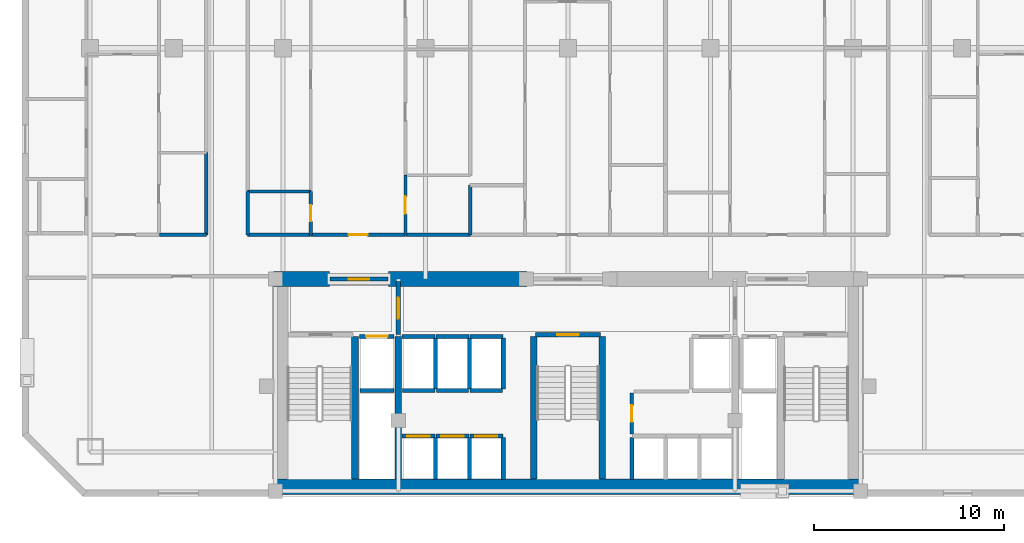
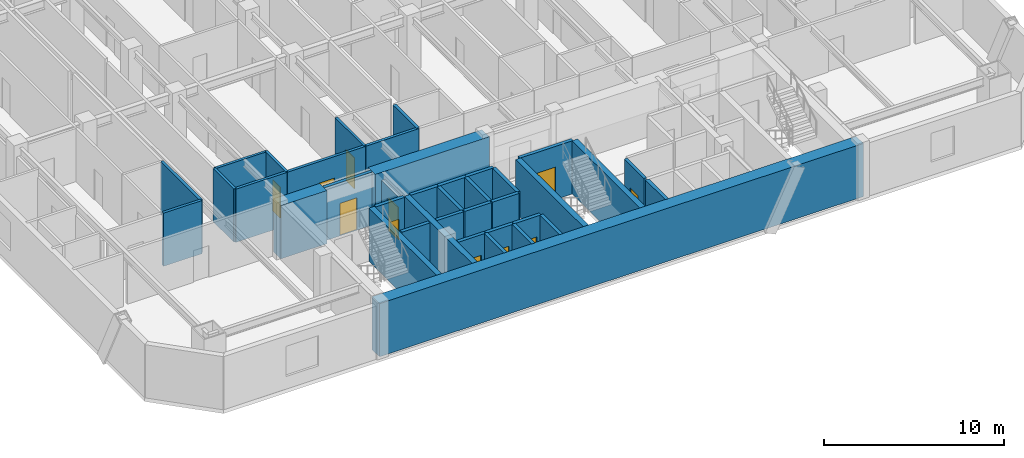
# One storey, part 3 of 10: 39 walls, 11 doors, 11 openings.
"""IFC4 building model written with IfcOpenShell, lengths in metres."""

from ifc_helpers import new_model, si_unit, direction, frame, frame_2d, origin, place, context, subcontext, project, spatial, rectangle, extrude, material, layer, layer_set, type_object, element, fill, save


model = new_model("IFC4")

# Units and contexts
model_context = context("Model", 3, precision=1e-05, world=origin(), true_north=direction((0.0, 1.0)))
body_context = subcontext(model_context, "Body", "Model", "MODEL_VIEW")
ifc_project = project(units=[si_unit("LENGTHUNIT", "METRE"), si_unit("AREAUNIT", "SQUARE_METRE"), si_unit("VOLUMEUNIT", "CUBIC_METRE"), si_unit("PLANEANGLEUNIT", "RADIAN"), si_unit("MASSUNIT", "GRAM", prefix="KILO")], contexts=[model_context])

# Site, building, storey
site_placement = place(None, origin())
site = spatial("IfcSite", under=ifc_project, at=site_placement, CompositionType="ELEMENT")
building_placement = place(site_placement, origin())
building = spatial("IfcBuilding", under=site, at=building_placement, Name="Ventersveld Concourse Tower", CompositionType="ELEMENT")
storey_placement = place(building_placement, frame((0.0, 0.0, 49.050048828125)))
storey = spatial("IfcBuildingStorey", under=building, at=storey_placement, Name="L11", CompositionType="ELEMENT", Elevation=49.050048828125)

# Walls
ifc_material_1 = material(Name="Concrete C60/75", Category="concrete")
ifc_layer_1 = layer(ifc_material_1, 0.35009765625)
ifc_layer_set_1 = layer_set([ifc_layer_1], Name="Concrete C60/75")
wall_type_1 = type_object("IfcWallType", Name="WL-CORE-350L", PredefinedType="SHEAR", material=ifc_layer_set_1)
for number, where, z_axis, x_axis, name in (
    (1, (17.5400390625, 0.919921875, 0.0), (0.0, 0.0, 1.0), (0.0, 1.0, 0.0), "L11 Core Internal Shear Web W-ST1-E"),
    (2, (19.820068359375, 0.919921875, 0.0), (0.0, 0.0, 1.0), (0.0, 1.0, 0.0), "L11 Core Internal Shear Web W-FF1-E"),
    (3, (26.93994140625, 0.919921875, 0.0), (0.0, 0.0, 1.0), (0.0, 1.0, 0.0), "L11 Core Internal Shear Web W-ST3-W"),
    (4, (30.56005859375, 0.919921875, 0.0), (0.0, 0.0, 1.0), (0.0, 1.0, 0.0), "L11 Core Internal Shear Web W-ST3-E"),
):
    element("IfcWall", number, at=place(storey_placement, frame(where, z_axis=z_axis, x_axis=x_axis)), inside=storey, type_object=wall_type_1, Name=name, PredefinedType="SHEAR", context=body_context, shape_type="SweptSolid", body=[
        extrude(rectangle(XDim=7.5, YDim=0.35009765625, at=frame_2d((3.75, 0.0))), origin(), (0.0, 0.0, 1.0), 3.599853515625),
    ])
ifc_layer_2 = layer(ifc_material_1, 0.800048828125)
ifc_layer_set_2 = layer_set([ifc_layer_2], Name="Concrete C60/75")
wall_type_2 = type_object("IfcWallType", Name="WL-CORE-800", PredefinedType="SHEAR", material=ifc_layer_set_2)
wall_1_placement = place(storey_placement, frame((13.25, 0.52001953125, 0.0), z_axis=(0.0, 0.0, 1.0), x_axis=(1.0, 0.0, 0.0)))
element("IfcWall", 5, at=wall_1_placement, inside=storey, type_object=wall_type_2, Name="L11 Rear Core South Shear Wall", PredefinedType="SHEAR", context=body_context, shape_type="SweptSolid", body=[
    extrude(rectangle(XDim=31.0, YDim=0.800048828125, at=frame_2d((15.5, 0.0))), origin(), (0.0, 0.0, 1.0), 3.599853515625),
])
wall_2_placement = place(storey_placement, frame((13.25, 11.449951171875, 0.0), z_axis=(0.0, 0.0, 1.0), x_axis=(1.0, 0.0, 0.0)))
element("IfcWall", 6, at=wall_2_placement, inside=storey, type_object=wall_type_2, Name="L11 Rear Core North Shear Wall NW", PredefinedType="SHEAR", context=body_context, shape_type="SweptSolid", body=[
    extrude(rectangle(XDim=2.949951171875, YDim=0.800048828125, at=frame_2d((1.47509765625, 0.0))), origin(), (0.0, 0.0, 1.0), 3.599853515625),
])
wall_3_placement = place(storey_placement, frame((19.300048828125, 11.449951171875, 0.0), z_axis=(0.0, 0.0, 1.0), x_axis=(1.0, 0.0, 0.0)))
element("IfcWall", 7, at=wall_3_placement, inside=storey, type_object=wall_type_2, Name="L11 Rear Core North Shear Wall NML", PredefinedType="SHEAR", context=body_context, shape_type="SweptSolid", body=[
    extrude(rectangle(XDim=7.300048828125, YDim=0.800048828125, at=frame_2d((3.64990234375, 0.0))), origin(), (0.0, 0.0, 1.0), 3.599853515625),
])

# Wall, opening, door
ifc_material_2 = material(Name="Fire-rated autoclaved aerated masonry blockwork", Category="masonry")
ifc_layer_3 = layer(ifc_material_2, 0.179931640625)
ifc_layer_set_3 = layer_set([ifc_layer_3], Name="Fire-rated autoclaved aerated masonry blockwork")
wall_type_3 = type_object("IfcWallType", Name="WL-CORR-180", PredefinedType="PARTITIONING", material=ifc_layer_set_3)
wall_4_placement = place(storey_placement, frame((32.10009765625, 3.280029296875, 0.0), z_axis=(0.0, 0.0, 1.0), x_axis=(0.0, 1.0, 0.0)))
wall_4 = element("IfcWall", 8, at=wall_4_placement, inside=storey, type_object=wall_type_3, Name="L11 Core Passage Wall SP-L11-CBAY2", PredefinedType="PARTITIONING", context=body_context, shape_type="SweptSolid", body=[
    extrude(rectangle(XDim=2.169921875, YDim=0.179931640625, at=frame_2d((1.0849609375, 0.0))), origin(), (0.0, 0.0, 1.0), 3.599853515625),
])
opening_1_placement = place(wall_4_placement, frame((0.64501953125, 0.0, 0.0)))
opening_1 = element("IfcOpeningElement", 9, at=opening_1_placement, cuts=wall_4, Name="Opening FD5", PredefinedType="OPENING", context=body_context, shape_type="SweptSolid", body=[
    extrude(rectangle(XDim=0.8798828125, YDim=2.050048828125, at=frame_2d((0.43994140625, 1.02490234375))), frame((0.0, 0.10009765625, 0.0), z_axis=(0.0, -1.0, 0.0), x_axis=(1.0, 0.0, 0.0)), (0.0, 0.0, 1.0), 0.199951171875),
])
ifc_material_3 = material(Name="Galvanised painted steel", Category="steel")
door_type_1 = type_object("IfcDoorType", Name="DR-RISER-088", OperationType="NOTDEFINED", PredefinedType="DOOR", material=ifc_material_3)
door_1_placement = place(opening_1_placement, origin())
door_1 = element("IfcDoor", 10, at=door_1_placement, inside=storey, type_object=door_type_1, Name="L11 Core Room Door L11 Core Parcel and Mail Store (CD-L11-0419)", OperationType="SINGLE_SWING_RIGHT", OverallHeight=2.050048828125, OverallWidth=0.8798828125, PredefinedType="DOOR", context=body_context, shape_type="SweptSolid", body=[
    extrude(rectangle(XDim=0.8798828125, YDim=2.050048828125, at=frame_2d((0.43994140625, 1.02490234375))), frame((0.0, 0.02490234375, 0.0), z_axis=(0.0, -1.0, 0.0), x_axis=(1.0, 0.0, 0.0)), (0.0, 0.0, 1.0), 0.050048828125),
])
fill(opening_1, door_1)

# Walls
wall_5_placement = place(storey_placement, frame((9.7099609375, 13.764892578125, 0.0), z_axis=(0.0, 0.0, 1.0), x_axis=(0.0, 1.0, 0.0)))
element("IfcWall", 11, at=wall_5_placement, inside=storey, type_object=wall_type_3, Name="L11 Interior Partition SP-L11-COR-SP-L11-11NW-KIT", PredefinedType="PARTITIONING", context=body_context, shape_type="SweptSolid", body=[
    extrude(rectangle(XDim=4.3408203125, YDim=0.179931640625, at=frame_2d((2.17041015625, 0.0))), origin(), (0.0, 0.0, 1.0), 3.599853515625),
])
wall_6_placement = place(storey_placement, frame((7.252197265625, 13.77001953125, 0.0), z_axis=(0.0, 0.0, 1.0), x_axis=(1.0, 0.0, 0.0)))
element("IfcWall", 12, at=wall_6_placement, inside=storey, type_object=wall_type_3, Name="L11 Interior Partition SP-L11-COR-SP-L11-11NW-KIT", PredefinedType="PARTITIONING", context=body_context, shape_type="SweptSolid", body=[
    extrude(rectangle(XDim=2.462890625, YDim=0.179931640625, at=frame_2d((1.2314453125, 0.0))), origin(), (0.0, 0.0, 1.0), 3.599853515625),
])

# Wall, opening, door
wall_7_placement = place(storey_placement, frame((15.20703125, 13.77001953125, 0.0), z_axis=(0.0, 0.0, 1.0), x_axis=(1.0, 0.0, 0.0)))
wall_7 = element("IfcWall", 13, at=wall_7_placement, inside=storey, type_object=wall_type_3, Name="L11 Interior Partition SP-L11-COR-SP-L11-11CW-FOY", PredefinedType="PARTITIONING", context=body_context, shape_type="SweptSolid", body=[
    extrude(rectangle(XDim=4.989990234375, YDim=0.179931640625, at=frame_2d((2.4951171875, 0.0))), origin(), (0.0, 0.0, 1.0), 3.599853515625),
])
opening_2_placement = place(wall_7_placement, frame((1.9951171875, 0.0, 0.0)))
opening_2 = element("IfcOpeningElement", 14, at=opening_2_placement, cuts=wall_7, Name="Opening FD3", PredefinedType="OPENING", context=body_context, shape_type="SweptSolid", body=[
    extrude(rectangle(XDim=1.0, YDim=2.14990234375, at=frame_2d((0.5, 1.074951171875))), frame((0.0, 0.10009765625, 0.0), z_axis=(0.0, -1.0, 0.0), x_axis=(1.0, 0.0, 0.0)), (0.0, 0.0, 1.0), 0.199951171875),
])
ifc_material_4 = material(Name="Solid-core hardwood veneer timber", Category="wood")
door_type_2 = type_object("IfcDoorType", Name="DR-FLAT-100", OperationType="NOTDEFINED", PredefinedType="DOOR", material=ifc_material_4)
door_2_placement = place(opening_2_placement, origin())
door_2 = element("IfcDoor", 15, at=door_2_placement, inside=storey, type_object=door_type_2, Name="L11 Interior Door SP-L11-COR to SP-L11-11CW-FOY (FD-L11-0424)", OperationType="SINGLE_SWING_RIGHT", OverallHeight=2.14990234375, OverallWidth=1.0, PredefinedType="DOOR", context=body_context, shape_type="SweptSolid", body=[
    extrude(rectangle(XDim=1.0, YDim=2.14990234375, at=frame_2d((0.5, 1.074951171875))), frame((0.0, 0.02490234375, 0.0), z_axis=(0.0, -1.0, 0.0), x_axis=(1.0, 0.0, 0.0)), (0.0, 0.0, 1.0), 0.050048828125),
])
fill(opening_2, door_2)

# Walls
wall_8_placement = place(storey_placement, frame((11.885009765625, 13.77001953125, 0.0), z_axis=(0.0, 0.0, 1.0), x_axis=(1.0, 0.0, 0.0)))
element("IfcWall", 16, at=wall_8_placement, inside=storey, type_object=wall_type_3, Name="L11 Interior Partition SP-L11-COR-SP-L11-11CW-BATH", PredefinedType="PARTITIONING", context=body_context, shape_type="SweptSolid", body=[
    extrude(rectangle(XDim=3.2919921875, YDim=0.179931640625, at=frame_2d((1.64599609375, 0.0))), origin(), (0.0, 0.0, 1.0), 3.599853515625),
])
wall_9_placement = place(storey_placement, frame((11.889892578125, 13.764892578125, 0.0), z_axis=(0.0, 0.0, 1.0), x_axis=(0.0, 1.0, 0.0)))
element("IfcWall", 17, at=wall_9_placement, inside=storey, type_object=wall_type_3, Name="L11 Interior Partition SP-L11-COR-SP-L11-11CW-BATH", PredefinedType="PARTITIONING", context=body_context, shape_type="SweptSolid", body=[
    extrude(rectangle(XDim=2.290771484375, YDim=0.179931640625, at=frame_2d((1.1455078125, 0.0))), origin(), (0.0, 0.0, 1.0), 3.599853515625),
])
wall_10_placement = place(storey_placement, frame((20.22705078125, 13.77001953125, 0.0), z_axis=(0.0, 0.0, 1.0), x_axis=(1.0, 0.0, 0.0)))
element("IfcWall", 18, at=wall_10_placement, inside=storey, type_object=wall_type_3, Name="L11 Interior Partition SP-L11-COR-SP-L11-11CW-KIT", PredefinedType="PARTITIONING", context=body_context, shape_type="SweptSolid", body=[
    extrude(rectangle(XDim=3.387939453125, YDim=0.179931640625, at=frame_2d((1.69384765625, 0.0))), origin(), (0.0, 0.0, 1.0), 3.599853515625),
])
ifc_layer_4 = layer(ifc_material_2, 0.199951171875)
ifc_layer_set_4 = layer_set([ifc_layer_4], Name="Fire-rated autoclaved aerated masonry blockwork")
wall_type_4 = type_object("IfcWallType", Name="WL-DEMISE-200", PredefinedType="PARTITIONING", material=ifc_layer_set_4)
wall_11_placement = place(storey_placement, frame((23.610107421875, 13.764892578125, 0.0), z_axis=(0.0, 0.0, 1.0), x_axis=(0.0, 1.0, 0.0)))
element("IfcWall", 19, at=wall_11_placement, inside=storey, type_object=wall_type_4, Name="L11 Interior Partition SP-L11-11CW-KIT-SP-L11-11CM-BATH", PredefinedType="PARTITIONING", context=body_context, shape_type="SweptSolid", body=[
    extrude(rectangle(XDim=2.629150390625, YDim=0.199951171875, at=frame_2d((1.314453125, 0.0))), origin(), (0.0, 0.0, 1.0), 3.599853515625),
])
ifc_layer_5 = layer(ifc_material_2, 0.219970703125)
ifc_layer_set_5 = layer_set([ifc_layer_5], Name="Fire-rated autoclaved aerated masonry blockwork")
wall_type_5 = type_object("IfcWallType", Name="WL-HOIST-220", PredefinedType="SOLIDWALL", material=ifc_layer_set_5)
wall_12_placement = place(storey_placement, frame((17.800048828125, 5.590087890625, 0.0), z_axis=(0.0, 0.0, 1.0), x_axis=(1.0, 0.0, 0.0)))
element("IfcWall", 20, at=wall_12_placement, inside=storey, type_object=wall_type_5, Name="L11 Lift Hoistway Back Wall FFL-01", PredefinedType="SOLIDWALL", context=body_context, shape_type="SweptSolid", body=[
    extrude(rectangle(XDim=1.780029296875, YDim=0.219970703125, at=frame_2d((0.89013671875, 0.0))), origin(), (0.0, 0.0, 1.0), 3.599853515625),
])

# Wall, opening, door
wall_13_placement = place(storey_placement, frame((17.780029296875, 8.429931640625, 0.0), z_axis=(0.0, 0.0, 1.0), x_axis=(1.0, 0.0, 0.0)))
wall_13 = element("IfcWall", 21, at=wall_13_placement, inside=storey, type_object=wall_type_5, Name="L11 Lift Hoistway Front Wall FFL-01", PredefinedType="SOLIDWALL", context=body_context, shape_type="SweptSolid", body=[
    extrude(rectangle(XDim=1.820068359375, YDim=0.219970703125, at=frame_2d((0.91015625, 0.0))), origin(), (0.0, 0.0, 1.0), 3.599853515625),
])
opening_3_placement = place(wall_13_placement, frame((0.35009765625, 0.0, 0.0)))
opening_3 = element("IfcOpeningElement", 22, at=opening_3_placement, cuts=wall_13, Name="Opening LD1", PredefinedType="OPENING", context=body_context, shape_type="SweptSolid", body=[
    extrude(rectangle(XDim=1.1201171875, YDim=2.25, at=frame_2d((0.56005859375, 1.125))), frame((0.0, 0.1201171875, 0.0), z_axis=(0.0, -1.0, 0.0), x_axis=(1.0, 0.0, 0.0)), (0.0, 0.0, 1.0), 0.239990234375),
])
ifc_material_5 = material(Name="Brushed stainless steel 316", Category="steel")
door_type_3 = type_object("IfcDoorType", Name="LD-FF-112", OperationType="SLIDING_TO_LEFT", PredefinedType="DOOR", material=ifc_material_5)
door_3_placement = place(opening_3_placement, origin())
door_3 = element("IfcDoor", 23, at=door_3_placement, inside=storey, type_object=door_type_3, Name="L11 Lift landing door FFL-01 (LD-L11-FFL-01)", OperationType="SLIDING_TO_LEFT", OverallHeight=2.25, OverallWidth=1.1201171875, PredefinedType="DOOR", context=body_context, shape_type="SweptSolid", body=[
    extrude(rectangle(XDim=1.1201171875, YDim=2.25, at=frame_2d((0.56005859375, 1.125))), frame((0.0, 0.02490234375, 0.0), z_axis=(0.0, -1.0, 0.0), x_axis=(1.0, 0.0, 0.0)), (0.0, 0.0, 1.0), 0.050048828125),
])
fill(opening_3, door_3)

# Wall
wall_14_placement = place(storey_placement, frame((21.780029296875, 0.89990234375, 0.0), z_axis=(0.0, 0.0, 1.0), x_axis=(0.0, 1.0, 0.0)))
element("IfcWall", 24, at=wall_14_placement, inside=storey, type_object=wall_type_5, Name="L11 Lift Hoistway Side Wall PL-01E", PredefinedType="SOLIDWALL", context=body_context, shape_type="SweptSolid", body=[
    extrude(rectangle(XDim=2.2001953125, YDim=0.219970703125, at=frame_2d((1.10009765625, 0.0))), origin(), (0.0, 0.0, 1.0), 3.599853515625),
])

# Wall, opening, door
wall_15_placement = place(storey_placement, frame((20.02001953125, 3.179931640625, 0.0), z_axis=(0.0, 0.0, 1.0), x_axis=(1.0, 0.0, 0.0)))
wall_15 = element("IfcWall", 25, at=wall_15_placement, inside=storey, type_object=wall_type_5, Name="L11 Lift Hoistway Front Wall PL-01", PredefinedType="SOLIDWALL", context=body_context, shape_type="SweptSolid", body=[
    extrude(rectangle(XDim=1.739990234375, YDim=0.219970703125, at=frame_2d((0.8701171875, 0.0))), origin(), (0.0, 0.0, 1.0), 3.599853515625),
])
opening_4_placement = place(wall_15_placement, frame((0.280029296875, 0.0, 0.0)))
opening_4 = element("IfcOpeningElement", 26, at=opening_4_placement, cuts=wall_15, Name="Opening LD2", PredefinedType="OPENING", context=body_context, shape_type="SweptSolid", body=[
    extrude(rectangle(XDim=1.179931640625, YDim=2.199951171875, at=frame_2d((0.58984375, 1.10009765625))), frame((0.0, 0.1201171875, 0.0), z_axis=(0.0, -1.0, 0.0), x_axis=(1.0, 0.0, 0.0)), (0.0, 0.0, 1.0), 0.239990234375),
])
door_type_4 = type_object("IfcDoorType", Name="LD-PAX-118", OperationType="SLIDING_TO_LEFT", PredefinedType="DOOR", material=ifc_material_5)
door_4_placement = place(opening_4_placement, origin())
door_4 = element("IfcDoor", 27, at=door_4_placement, inside=storey, type_object=door_type_4, Name="L11 Lift landing door PL-01 (LD-L11-PL-01)", OperationType="SLIDING_TO_RIGHT", OverallHeight=2.199951171875, OverallWidth=1.179931640625, PredefinedType="DOOR", context=body_context, shape_type="SweptSolid", body=[
    extrude(rectangle(XDim=1.179931640625, YDim=2.199951171875, at=frame_2d((0.58984375, 1.10009765625))), frame((0.0, 0.02490234375, 0.0), z_axis=(0.0, -1.0, 0.0), x_axis=(1.0, 0.0, 0.0)), (0.0, 0.0, 1.0), 0.050048828125),
])
fill(opening_4, door_4)

# Wall
wall_16_placement = place(storey_placement, frame((23.56005859375, 0.89990234375, 0.0), z_axis=(0.0, 0.0, 1.0), x_axis=(0.0, 1.0, 0.0)))
element("IfcWall", 28, at=wall_16_placement, inside=storey, type_object=wall_type_5, Name="L11 Lift Hoistway Side Wall PL-02E", PredefinedType="SOLIDWALL", context=body_context, shape_type="SweptSolid", body=[
    extrude(rectangle(XDim=2.2001953125, YDim=0.219970703125, at=frame_2d((1.10009765625, 0.0))), origin(), (0.0, 0.0, 1.0), 3.599853515625),
])

# Wall, opening, door
wall_17_placement = place(storey_placement, frame((21.800048828125, 3.179931640625, 0.0), z_axis=(0.0, 0.0, 1.0), x_axis=(1.0, 0.0, 0.0)))
wall_17 = element("IfcWall", 29, at=wall_17_placement, inside=storey, type_object=wall_type_5, Name="L11 Lift Hoistway Front Wall PL-02", PredefinedType="SOLIDWALL", context=body_context, shape_type="SweptSolid", body=[
    extrude(rectangle(XDim=1.739990234375, YDim=0.219970703125, at=frame_2d((0.8701171875, 0.0))), origin(), (0.0, 0.0, 1.0), 3.599853515625),
])
opening_5_placement = place(wall_17_placement, frame((0.280029296875, 0.0, 0.0)))
opening_5 = element("IfcOpeningElement", 30, at=opening_5_placement, cuts=wall_17, Name="Opening LD2", PredefinedType="OPENING", context=body_context, shape_type="SweptSolid", body=[
    extrude(rectangle(XDim=1.179931640625, YDim=2.199951171875, at=frame_2d((0.58984375, 1.10009765625))), frame((0.0, 0.1201171875, 0.0), z_axis=(0.0, -1.0, 0.0), x_axis=(1.0, 0.0, 0.0)), (0.0, 0.0, 1.0), 0.239990234375),
])
door_5_placement = place(opening_5_placement, origin())
door_5 = element("IfcDoor", 31, at=door_5_placement, inside=storey, type_object=door_type_4, Name="L11 Lift landing door PL-02 (LD-L11-PL-02)", OperationType="SLIDING_TO_LEFT", OverallHeight=2.199951171875, OverallWidth=1.179931640625, PredefinedType="DOOR", context=body_context, shape_type="SweptSolid", body=[
    extrude(rectangle(XDim=1.179931640625, YDim=2.199951171875, at=frame_2d((0.58984375, 1.10009765625))), frame((0.0, 0.02490234375, 0.0), z_axis=(0.0, -1.0, 0.0), x_axis=(1.0, 0.0, 0.0)), (0.0, 0.0, 1.0), 0.050048828125),
])
fill(opening_5, door_5)

# Wall
wall_18_placement = place(storey_placement, frame((25.340087890625, 0.89990234375, 0.0), z_axis=(0.0, 0.0, 1.0), x_axis=(0.0, 1.0, 0.0)))
element("IfcWall", 32, at=wall_18_placement, inside=storey, type_object=wall_type_5, Name="L11 Lift Hoistway Side Wall PL-03E", PredefinedType="SOLIDWALL", context=body_context, shape_type="SweptSolid", body=[
    extrude(rectangle(XDim=2.2001953125, YDim=0.219970703125, at=frame_2d((1.10009765625, 0.0))), origin(), (0.0, 0.0, 1.0), 3.599853515625),
])

# Wall, opening, door
wall_19_placement = place(storey_placement, frame((23.580078125, 3.179931640625, 0.0), z_axis=(0.0, 0.0, 1.0), x_axis=(1.0, 0.0, 0.0)))
wall_19 = element("IfcWall", 33, at=wall_19_placement, inside=storey, type_object=wall_type_5, Name="L11 Lift Hoistway Front Wall PL-03", PredefinedType="SOLIDWALL", context=body_context, shape_type="SweptSolid", body=[
    extrude(rectangle(XDim=1.739990234375, YDim=0.219970703125, at=frame_2d((0.8701171875, 0.0))), origin(), (0.0, 0.0, 1.0), 3.599853515625),
])
opening_6_placement = place(wall_19_placement, frame((0.280029296875, 0.0, 0.0)))
opening_6 = element("IfcOpeningElement", 34, at=opening_6_placement, cuts=wall_19, Name="Opening LD2", PredefinedType="OPENING", context=body_context, shape_type="SweptSolid", body=[
    extrude(rectangle(XDim=1.179931640625, YDim=2.199951171875, at=frame_2d((0.58984375, 1.10009765625))), frame((0.0, 0.1201171875, 0.0), z_axis=(0.0, -1.0, 0.0), x_axis=(1.0, 0.0, 0.0)), (0.0, 0.0, 1.0), 0.239990234375),
])
door_6_placement = place(opening_6_placement, origin())
door_6 = element("IfcDoor", 35, at=door_6_placement, inside=storey, type_object=door_type_4, Name="L11 Lift landing door PL-03 (LD-L11-PL-03)", OperationType="SLIDING_TO_RIGHT", OverallHeight=2.199951171875, OverallWidth=1.179931640625, PredefinedType="DOOR", context=body_context, shape_type="SweptSolid", body=[
    extrude(rectangle(XDim=1.179931640625, YDim=2.199951171875, at=frame_2d((0.58984375, 1.10009765625))), frame((0.0, 0.02490234375, 0.0), z_axis=(0.0, -1.0, 0.0), x_axis=(1.0, 0.0, 0.0)), (0.0, 0.0, 1.0), 0.050048828125),
])
fill(opening_6, door_6)

# Walls
wall_20_placement = place(storey_placement, frame((32.1201171875, 0.89990234375, 0.0), z_axis=(0.0, 0.0, 1.0), x_axis=(0.0, 1.0, 0.0)))
element("IfcWall", 36, at=wall_20_placement, inside=storey, type_object=wall_type_5, Name="L11 Lift Hoistway Side Wall PM-01W", PredefinedType="SOLIDWALL", context=body_context, shape_type="SweptSolid", body=[
    extrude(rectangle(XDim=2.2001953125, YDim=0.219970703125, at=frame_2d((1.10009765625, 0.0))), origin(), (0.0, 0.0, 1.0), 3.599853515625),
])
wall_21_placement = place(storey_placement, frame((20.0400390625, 5.590087890625, 0.0), z_axis=(0.0, 0.0, 1.0), x_axis=(1.0, 0.0, 0.0)))
element("IfcWall", 37, at=wall_21_placement, inside=storey, type_object=wall_type_5, Name="L11 Lift Hoistway Back Wall PH-01", PredefinedType="SOLIDWALL", context=body_context, shape_type="SweptSolid", body=[
    extrude(rectangle(XDim=1.699951171875, YDim=0.219970703125, at=frame_2d((0.85009765625, 0.0))), origin(), (0.0, 0.0, 1.0), 3.599853515625),
])
wall_22_placement = place(storey_placement, frame((21.780029296875, 5.64990234375, 0.0), z_axis=(0.0, 0.0, 1.0), x_axis=(0.0, 1.0, 0.0)))
element("IfcWall", 38, at=wall_22_placement, inside=storey, type_object=wall_type_5, Name="L11 Lift Hoistway Side Wall PH-01E", PredefinedType="SOLIDWALL", context=body_context, shape_type="SweptSolid", body=[
    extrude(rectangle(XDim=2.7001953125, YDim=0.219970703125, at=frame_2d((1.35009765625, 0.0))), origin(), (0.0, 0.0, 1.0), 3.599853515625),
])
wall_23_placement = place(storey_placement, frame((20.02001953125, 8.429931640625, 0.0), z_axis=(0.0, 0.0, 1.0), x_axis=(1.0, 0.0, 0.0)))
element("IfcWall", 39, at=wall_23_placement, inside=storey, type_object=wall_type_5, Name="L11 Lift Hoistway Front Wall PH-01", PredefinedType="SOLIDWALL", context=body_context, shape_type="SweptSolid", body=[
    extrude(rectangle(XDim=1.739990234375, YDim=0.219970703125, at=frame_2d((0.8701171875, 0.0))), origin(), (0.0, 0.0, 1.0), 3.599853515625),
])
wall_24_placement = place(storey_placement, frame((21.820068359375, 5.590087890625, 0.0), z_axis=(0.0, 0.0, 1.0), x_axis=(1.0, 0.0, 0.0)))
element("IfcWall", 40, at=wall_24_placement, inside=storey, type_object=wall_type_5, Name="L11 Lift Hoistway Back Wall PH-02", PredefinedType="SOLIDWALL", context=body_context, shape_type="SweptSolid", body=[
    extrude(rectangle(XDim=1.699951171875, YDim=0.219970703125, at=frame_2d((0.85009765625, 0.0))), origin(), (0.0, 0.0, 1.0), 3.599853515625),
])
wall_25_placement = place(storey_placement, frame((23.56005859375, 5.64990234375, 0.0), z_axis=(0.0, 0.0, 1.0), x_axis=(0.0, 1.0, 0.0)))
element("IfcWall", 41, at=wall_25_placement, inside=storey, type_object=wall_type_5, Name="L11 Lift Hoistway Side Wall PH-02E", PredefinedType="SOLIDWALL", context=body_context, shape_type="SweptSolid", body=[
    extrude(rectangle(XDim=2.7001953125, YDim=0.219970703125, at=frame_2d((1.35009765625, 0.0))), origin(), (0.0, 0.0, 1.0), 3.599853515625),
])
wall_26_placement = place(storey_placement, frame((21.800048828125, 8.429931640625, 0.0), z_axis=(0.0, 0.0, 1.0), x_axis=(1.0, 0.0, 0.0)))
element("IfcWall", 42, at=wall_26_placement, inside=storey, type_object=wall_type_5, Name="L11 Lift Hoistway Front Wall PH-02", PredefinedType="SOLIDWALL", context=body_context, shape_type="SweptSolid", body=[
    extrude(rectangle(XDim=1.739990234375, YDim=0.219970703125, at=frame_2d((0.8701171875, 0.0))), origin(), (0.0, 0.0, 1.0), 3.599853515625),
])
wall_27_placement = place(storey_placement, frame((23.60009765625, 5.590087890625, 0.0), z_axis=(0.0, 0.0, 1.0), x_axis=(1.0, 0.0, 0.0)))
element("IfcWall", 43, at=wall_27_placement, inside=storey, type_object=wall_type_5, Name="L11 Lift Hoistway Back Wall PH-03", PredefinedType="SOLIDWALL", context=body_context, shape_type="SweptSolid", body=[
    extrude(rectangle(XDim=1.699951171875, YDim=0.219970703125, at=frame_2d((0.85009765625, 0.0))), origin(), (0.0, 0.0, 1.0), 3.599853515625),
])
wall_28_placement = place(storey_placement, frame((25.340087890625, 5.64990234375, 0.0), z_axis=(0.0, 0.0, 1.0), x_axis=(0.0, 1.0, 0.0)))
element("IfcWall", 44, at=wall_28_placement, inside=storey, type_object=wall_type_5, Name="L11 Lift Hoistway Side Wall PH-03E", PredefinedType="SOLIDWALL", context=body_context, shape_type="SweptSolid", body=[
    extrude(rectangle(XDim=2.7001953125, YDim=0.219970703125, at=frame_2d((1.35009765625, 0.0))), origin(), (0.0, 0.0, 1.0), 3.599853515625),
])
wall_29_placement = place(storey_placement, frame((23.580078125, 8.429931640625, 0.0), z_axis=(0.0, 0.0, 1.0), x_axis=(1.0, 0.0, 0.0)))
element("IfcWall", 45, at=wall_29_placement, inside=storey, type_object=wall_type_5, Name="L11 Lift Hoistway Front Wall PH-03", PredefinedType="SOLIDWALL", context=body_context, shape_type="SweptSolid", body=[
    extrude(rectangle(XDim=1.739990234375, YDim=0.219970703125, at=frame_2d((0.8701171875, 0.0))), origin(), (0.0, 0.0, 1.0), 3.599853515625),
])

# Wall, opening, door
wall_30_placement = place(storey_placement, frame((27.0400390625, 8.52001953125, 0.0), z_axis=(0.0, 0.0, 1.0), x_axis=(1.0, 0.0, 0.0)))
wall_30 = element("IfcWall", 46, at=wall_30_placement, inside=storey, type_object=wall_type_5, Name="L11 Escape Stair ST03 Fire Wall", PredefinedType="SOLIDWALL", context=body_context, shape_type="SweptSolid", body=[
    extrude(rectangle(XDim=3.419921875, YDim=0.219970703125, at=frame_2d((1.7099609375, 0.0))), origin(), (0.0, 0.0, 1.0), 3.599853515625),
])
opening_7_placement = place(wall_30_placement, frame((1.135009765625, 0.0, 0.0)))
opening_7 = element("IfcOpeningElement", 47, at=opening_7_placement, cuts=wall_30, Name="Opening FD1", PredefinedType="OPENING", context=body_context, shape_type="SweptSolid", body=[
    extrude(rectangle(XDim=1.14990234375, YDim=2.199951171875, at=frame_2d((0.574951171875, 1.10009765625))), frame((0.0, 0.1201171875, 0.0), z_axis=(0.0, -1.0, 0.0), x_axis=(1.0, 0.0, 0.0)), (0.0, 0.0, 1.0), 0.239990234375),
])
door_type_5 = type_object("IfcDoorType", Name="DR-STAIR-115", OperationType="NOTDEFINED", PredefinedType="DOOR", material=ifc_material_3)
door_7_placement = place(opening_7_placement, origin())
door_7 = element("IfcDoor", 48, at=door_7_placement, inside=storey, type_object=door_type_5, Name="L11 Escape Stair Door ST03 (SD-L11-0413)", OperationType="SINGLE_SWING_LEFT", OverallHeight=2.199951171875, OverallWidth=1.14990234375, PredefinedType="DOOR", context=body_context, shape_type="SweptSolid", body=[
    extrude(rectangle(XDim=1.14990234375, YDim=2.199951171875, at=frame_2d((0.574951171875, 1.10009765625))), frame((0.0, 0.02490234375, 0.0), z_axis=(0.0, -1.0, 0.0), x_axis=(1.0, 0.0, 0.0)), (0.0, 0.0, 1.0), 0.050048828125),
])
fill(opening_7, door_7)

wall_31_placement = place(storey_placement, frame((19.820068359375, 8.52001953125, 0.0), z_axis=(0.0, 0.0, 1.0), x_axis=(0.0, 1.0, 0.0)))
wall_31 = element("IfcWall", 49, at=wall_31_placement, inside=storey, type_object=wall_type_5, Name="L11 Firefighting Lobby Smoke-Stop Wall FFLW-SEP", PredefinedType="SOLIDWALL", context=body_context, shape_type="SweptSolid", body=[
    extrude(rectangle(XDim=2.800048828125, YDim=0.219970703125, at=frame_2d((1.39990234375, 0.0))), origin(), (0.0, 0.0, 1.0), 3.055419921875),
])
opening_8_placement = place(wall_31_placement, frame((0.85009765625, 0.0, 0.0)))
opening_8 = element("IfcOpeningElement", 50, at=opening_8_placement, cuts=wall_31, Name="Opening FD2", PredefinedType="OPENING", context=body_context, shape_type="SweptSolid", body=[
    extrude(rectangle(XDim=1.10009765625, YDim=2.199951171875, at=frame_2d((0.550048828125, 1.10009765625))), frame((0.0, 0.1201171875, 0.0), z_axis=(0.0, -1.0, 0.0), x_axis=(1.0, 0.0, 0.0)), (0.0, 0.0, 1.0), 0.239990234375),
])
door_type_6 = type_object("IfcDoorType", Name="DR-FFL-110", OperationType="NOTDEFINED", PredefinedType="DOOR", material=ifc_material_3)
door_8_placement = place(opening_8_placement, origin())
door_8 = element("IfcDoor", 51, at=door_8_placement, inside=storey, type_object=door_type_6, Name="L11 Firefighting Lobby Door FFLW-SEP (FD-L11-0414)", OperationType="SINGLE_SWING_LEFT", OverallHeight=2.199951171875, OverallWidth=1.10009765625, PredefinedType="DOOR", context=body_context, shape_type="SweptSolid", body=[
    extrude(rectangle(XDim=1.10009765625, YDim=2.199951171875, at=frame_2d((0.550048828125, 1.10009765625))), frame((0.0, 0.02490234375, 0.0), z_axis=(0.0, -1.0, 0.0), x_axis=(1.0, 0.0, 0.0)), (0.0, 0.0, 1.0), 0.050048828125),
])
fill(opening_8, door_8)

wall_32_placement = place(storey_placement, frame((16.22998046875, 11.449951171875, 0.0), z_axis=(0.0, 0.0, 1.0), x_axis=(1.0, 0.0, 0.0)))
wall_32 = element("IfcWall", 52, at=wall_32_placement, inside=storey, type_object=wall_type_5, Name="L11 Core North Fire Portal FFLW-OUT", PredefinedType="SOLIDWALL", context=body_context, shape_type="SweptSolid", body=[
    extrude(rectangle(XDim=3.0400390625, YDim=0.219970703125, at=frame_2d((1.52001953125, 0.0))), origin(), (0.0, 0.0, 1.0), 3.599853515625),
])
opening_9_placement = place(wall_32_placement, frame((0.969970703125, 0.0, 0.0)))
opening_9 = element("IfcOpeningElement", 53, at=opening_9_placement, cuts=wall_32, Name="Opening FD2", PredefinedType="OPENING", context=body_context, shape_type="SweptSolid", body=[
    extrude(rectangle(XDim=1.10009765625, YDim=2.199951171875, at=frame_2d((0.550048828125, 1.10009765625))), frame((0.0, 0.1201171875, 0.0), z_axis=(0.0, -1.0, 0.0), x_axis=(1.0, 0.0, 0.0)), (0.0, 0.0, 1.0), 0.239990234375),
])
door_9_placement = place(opening_9_placement, origin())
door_9 = element("IfcDoor", 54, at=door_9_placement, inside=storey, type_object=door_type_6, Name="L11 Core Lobby Fire Door FFLW-OUT (FD-L11-0416)", OperationType="SINGLE_SWING_RIGHT", OverallHeight=2.199951171875, OverallWidth=1.10009765625, PredefinedType="DOOR", context=body_context, shape_type="SweptSolid", body=[
    extrude(rectangle(XDim=1.10009765625, YDim=2.199951171875, at=frame_2d((0.550048828125, 1.10009765625))), frame((0.0, 0.02490234375, 0.0), z_axis=(0.0, -1.0, 0.0), x_axis=(1.0, 0.0, 0.0)), (0.0, 0.0, 1.0), 0.050048828125),
])
fill(opening_9, door_9)

ifc_material_6 = material(Name="Autoclaved aerated masonry blockwork", Category="masonry")
ifc_layer_6 = layer(ifc_material_6, 0.14990234375)
ifc_layer_set_6 = layer_set([ifc_layer_6], Name="Autoclaved aerated masonry blockwork")
wall_type_6 = type_object("IfcWallType", Name="WL-INT-150", PredefinedType="PARTITIONING", material=ifc_layer_set_6)
wall_33_placement = place(storey_placement, frame((20.19189453125, 13.764892578125, 0.0), z_axis=(0.0, 0.0, 1.0), x_axis=(0.0, 1.0, 0.0)))
wall_33 = element("IfcWall", 55, at=wall_33_placement, inside=storey, type_object=wall_type_6, Name="L11 Interior Partition SP-L11-11CW-FOY-SP-L11-11CW-KIT", PredefinedType="PARTITIONING", context=body_context, shape_type="SweptSolid", body=[
    extrude(rectangle(XDim=3.155029296875, YDim=0.14990234375, at=frame_2d((1.57763671875, 0.0))), origin(), (0.0, 0.0, 1.0), 3.599853515625),
])
opening_10_placement = place(wall_33_placement, frame((1.117431640625, 0.0, 0.0)))
opening_10 = element("IfcOpeningElement", 56, at=opening_10_placement, cuts=wall_33, Name="Opening ID1", PredefinedType="OPENING", context=body_context, shape_type="SweptSolid", body=[
    extrude(rectangle(XDim=0.919921875, YDim=2.10009765625, at=frame_2d((0.4599609375, 1.050048828125))), frame((0.0, 0.0849609375, 0.0), z_axis=(0.0, -1.0, 0.0), x_axis=(1.0, 0.0, 0.0)), (0.0, 0.0, 1.0), 0.169921875),
])
door_type_7 = type_object("IfcDoorType", Name="DR-ROOM-092", OperationType="NOTDEFINED", PredefinedType="DOOR", material=ifc_material_4)
door_10_placement = place(opening_10_placement, origin())
door_10 = element("IfcDoor", 57, at=door_10_placement, inside=storey, type_object=door_type_7, Name="L11 Interior Door SP-L11-11CW-FOY to SP-L11-11CW-KIT (D-L11-0450)", OperationType="SINGLE_SWING_RIGHT", OverallHeight=2.10009765625, OverallWidth=0.919921875, PredefinedType="DOOR", context=body_context, shape_type="SweptSolid", body=[
    extrude(rectangle(XDim=0.919921875, YDim=2.10009765625, at=frame_2d((0.4599609375, 1.050048828125))), frame((0.0, 0.02490234375, 0.0), z_axis=(0.0, -1.0, 0.0), x_axis=(1.0, 0.0, 0.0)), (0.0, 0.0, 1.0), 0.050048828125),
])
fill(opening_10, door_10)

ifc_layer_7 = layer(ifc_material_6, 0.1650390625)
ifc_layer_set_7 = layer_set([ifc_layer_7], Name="Autoclaved aerated masonry blockwork")
wall_type_7 = type_object("IfcWallType", Name="WL-WET-165", PredefinedType="PLUMBINGWALL", material=ifc_layer_set_7)
wall_34_placement = place(storey_placement, frame((15.2119140625, 13.764892578125, 0.0), z_axis=(0.0, 0.0, 1.0), x_axis=(0.0, 1.0, 0.0)))
wall_34 = element("IfcWall", 58, at=wall_34_placement, inside=storey, type_object=wall_type_7, Name="L11 Interior Partition SP-L11-11CW-FOY-SP-L11-11CW-BATH", PredefinedType="PLUMBINGWALL", context=body_context, shape_type="SweptSolid", body=[
    extrude(rectangle(XDim=2.290771484375, YDim=0.1650390625, at=frame_2d((1.1455078125, 0.0))), origin(), (0.0, 0.0, 1.0), 3.599853515625),
])
opening_11_placement = place(wall_34_placement, frame((0.72021484375, 0.0, 0.0)))
opening_11 = element("IfcOpeningElement", 59, at=opening_11_placement, cuts=wall_34, Name="Opening ID2", PredefinedType="OPENING", context=body_context, shape_type="SweptSolid", body=[
    extrude(rectangle(XDim=0.85009765625, YDim=2.10009765625, at=frame_2d((0.425048828125, 1.050048828125))), frame((0.0, 0.092529296875, 0.0), z_axis=(0.0, -1.0, 0.0), x_axis=(1.0, 0.0, 0.0)), (0.0, 0.0, 1.0), 0.18505859375),
])
door_type_8 = type_object("IfcDoorType", Name="DR-BATH-085", OperationType="NOTDEFINED", PredefinedType="DOOR", material=ifc_material_4)
door_11_placement = place(opening_11_placement, origin())
door_11 = element("IfcDoor", 60, at=door_11_placement, inside=storey, type_object=door_type_8, Name="L11 Interior Door SP-L11-11CW-FOY to SP-L11-11CW-BATH (D-L11-0448)", OperationType="SINGLE_SWING_RIGHT", OverallHeight=2.10009765625, OverallWidth=0.85009765625, PredefinedType="DOOR", context=body_context, shape_type="SweptSolid", body=[
    extrude(rectangle(XDim=0.85009765625, YDim=2.10009765625, at=frame_2d((0.425048828125, 1.050048828125))), frame((0.0, 0.02490234375, 0.0), z_axis=(0.0, -1.0, 0.0), x_axis=(1.0, 0.0, 0.0)), (0.0, 0.0, 1.0), 0.050048828125),
])
fill(opening_11, door_11)

# Wall
wall_35_placement = place(storey_placement, frame((11.885009765625, 16.050537109375, 0.0), z_axis=(0.0, 0.0, 1.0), x_axis=(1.0, 0.0, 0.0)))
element("IfcWall", 61, at=wall_35_placement, inside=storey, type_object=wall_type_7, Name="L11 Interior Partition SP-L11-11CW-BATH-SP-L11-11CW-MEDL0", PredefinedType="PLUMBINGWALL", context=body_context, shape_type="SweptSolid", body=[
    extrude(rectangle(XDim=3.33203125, YDim=0.1650390625, at=frame_2d((1.666015625, 0.0))), origin(), (0.0, 0.0, 1.0), 3.599853515625),
])

save(model, "model.ifc")
